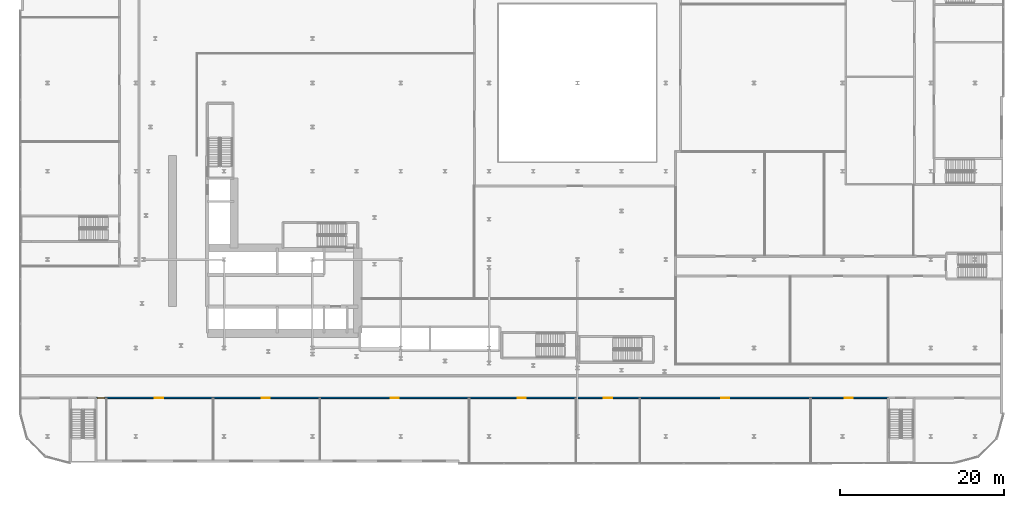
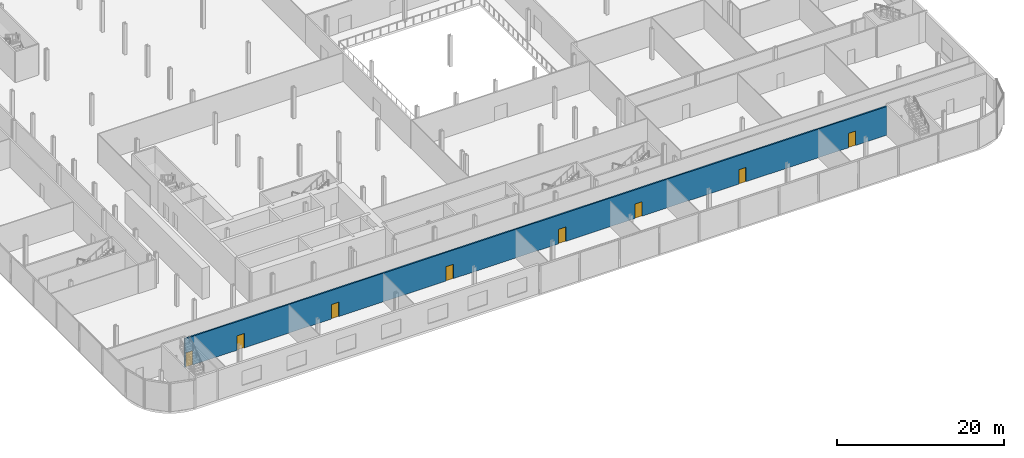
# One storey, part 27 of 47: 8 doors, 1 wall, 8 openings.
"""IFC4 building model written with IfcOpenShell, lengths in metres."""

from ifc_helpers import new_model, si_unit, direction, frame, frame_2d, origin, place, context, subcontext, project, spatial, rectangle, extrude, source, transform, mapped, material, layer, layer_set, type_object, element, fill, save


model = new_model("IFC4")

# Units and contexts
model_context = context("Model", 3, precision=1e-05, world=origin(), true_north=direction((0.0, 1.0)))
body_context = subcontext(model_context, "Body", "Model", "MODEL_VIEW")
ifc_project = project(units=[si_unit("LENGTHUNIT", "METRE"), si_unit("AREAUNIT", "SQUARE_METRE"), si_unit("VOLUMEUNIT", "CUBIC_METRE"), si_unit("PLANEANGLEUNIT", "RADIAN"), si_unit("MASSUNIT", "GRAM", prefix="KILO")], contexts=[model_context])

# Site, building, storey
site_placement = place(None, origin())
site = spatial("IfcSite", under=ifc_project, at=site_placement, CompositionType="ELEMENT")
building_placement = place(site_placement, origin())
building = spatial("IfcBuilding", under=site, at=building_placement, Name="Kheshtan School and Residences Tower", CompositionType="ELEMENT")
storey_placement = place(building_placement, frame((0.0, 0.0, 12.5)))
storey = spatial("IfcBuildingStorey", under=building, at=storey_placement, Name="L02", CompositionType="ELEMENT", Elevation=12.5)

# Wall, openings, doors
ifc_material_1 = material(Name="Gypsum board on steel studs with fire boards", Category="steel")
ifc_layer = layer(ifc_material_1, 0.199951171875)
ifc_layer_set = layer_set([ifc_layer], Name="Corridor wall 200")
wall_type = type_object("IfcWallType", Name="Corridor wall 200", PredefinedType="PARTITIONING", material=ifc_layer_set)
wall_placement = place(storey_placement, frame((21.14990234375, 17.89990234375, 0.0), z_axis=(0.0, 0.0, 1.0), x_axis=(1.0, 0.0, 0.0)))
wall = element("IfcWall", 1, at=wall_placement, inside=storey, type_object=wall_type, Name="Partition L02-008", PredefinedType="PARTITIONING", context=body_context, shape_type="SweptSolid", body=[
    extrude(rectangle(XDim=96.85009765625, YDim=0.199951171875, at=frame_2d((48.425048828125, 0.0))), origin(), (0.0, 0.0, 1.0), 4.179931640625),
])
opening_1_placement = place(wall_placement, frame((0.14990234375, 0.0, 0.0)))
opening_1 = element("IfcOpeningElement", 2, at=opening_1_placement, cuts=wall, Name="Opening D02-035", PredefinedType="OPENING", context=body_context, shape_type="SweptSolid", body=[
    extrude(rectangle(XDim=0.89990234375, YDim=2.10009765625, at=frame_2d((0.449951171875, 1.050048828125))), frame((0.0, 0.10986328125, 0.0), z_axis=(0.0, -1.0, 0.0), x_axis=(1.0, 0.0, 0.0)), (0.0, 0.0, 1.0), 0.219970703125),
])
opening_2_placement = place(wall_placement, frame((7.18505859375, 0.0, 0.0)))
opening_2 = element("IfcOpeningElement", 3, at=opening_2_placement, cuts=wall, Name="Opening D02-036", PredefinedType="OPENING", context=body_context, shape_type="SweptSolid", body=[
    extrude(rectangle(XDim=1.0, YDim=2.10009765625, at=frame_2d((0.5, 1.050048828125))), frame((0.0, 0.10986328125, 0.0), z_axis=(0.0, -1.0, 0.0), x_axis=(1.0, 0.0, 0.0)), (0.0, 0.0, 1.0), 0.219970703125),
])
opening_3_placement = place(wall_placement, frame((20.22802734375, 0.0, 0.0)))
opening_3 = element("IfcOpeningElement", 4, at=opening_3_placement, cuts=wall, Name="Opening D02-037", PredefinedType="OPENING", context=body_context, shape_type="SweptSolid", body=[
    extrude(rectangle(XDim=1.0, YDim=2.10009765625, at=frame_2d((0.5, 1.050048828125))), frame((0.0, 0.10986328125, 0.0), z_axis=(0.0, -1.0, 0.0), x_axis=(1.0, 0.0, 0.0)), (0.0, 0.0, 1.0), 0.219970703125),
])
opening_4_placement = place(wall_placement, frame((36.02197265625, 0.0, 0.0)))
opening_4 = element("IfcOpeningElement", 5, at=opening_4_placement, cuts=wall, Name="Opening D02-038", PredefinedType="OPENING", context=body_context, shape_type="SweptSolid", body=[
    extrude(rectangle(XDim=1.0, YDim=2.10009765625, at=frame_2d((0.5, 1.050048828125))), frame((0.0, 0.10986328125, 0.0), z_axis=(0.0, -1.0, 0.0), x_axis=(1.0, 0.0, 0.0)), (0.0, 0.0, 1.0), 0.219970703125),
])
opening_5_placement = place(wall_placement, frame((51.532958984375, 0.0, 0.0)))
opening_5 = element("IfcOpeningElement", 6, at=opening_5_placement, cuts=wall, Name="Opening D02-039", PredefinedType="OPENING", context=body_context, shape_type="SweptSolid", body=[
    extrude(rectangle(XDim=1.0, YDim=2.10009765625, at=frame_2d((0.5, 1.050048828125))), frame((0.0, 0.10986328125, 0.0), z_axis=(0.0, -1.0, 0.0), x_axis=(1.0, 0.0, 0.0)), (0.0, 0.0, 1.0), 0.219970703125),
])
opening_6_placement = place(wall_placement, frame((62.075927734375, 0.0, 0.0)))
opening_6 = element("IfcOpeningElement", 7, at=opening_6_placement, cuts=wall, Name="Opening D02-040", PredefinedType="OPENING", context=body_context, shape_type="SweptSolid", body=[
    extrude(rectangle(XDim=1.0, YDim=2.10009765625, at=frame_2d((0.5, 1.050048828125))), frame((0.0, 0.10986328125, 0.0), z_axis=(0.0, -1.0, 0.0), x_axis=(1.0, 0.0, 0.0)), (0.0, 0.0, 1.0), 0.219970703125),
])
opening_7_placement = place(wall_placement, frame((76.402099609375, 0.0, 0.0)))
opening_7 = element("IfcOpeningElement", 8, at=opening_7_placement, cuts=wall, Name="Opening D02-041", PredefinedType="OPENING", context=body_context, shape_type="SweptSolid", body=[
    extrude(rectangle(XDim=1.0, YDim=2.10009765625, at=frame_2d((0.5, 1.050048828125))), frame((0.0, 0.10986328125, 0.0), z_axis=(0.0, -1.0, 0.0), x_axis=(1.0, 0.0, 0.0)), (0.0, 0.0, 1.0), 0.219970703125),
])
opening_8_placement = place(wall_placement, frame((91.52197265625, 0.0, 0.0)))
opening_8 = element("IfcOpeningElement", 9, at=opening_8_placement, cuts=wall, Name="Opening D02-042", PredefinedType="OPENING", context=body_context, shape_type="SweptSolid", body=[
    extrude(rectangle(XDim=1.0, YDim=2.10009765625, at=frame_2d((0.5, 1.050048828125))), frame((0.0, 0.10986328125, 0.0), z_axis=(0.0, -1.0, 0.0), x_axis=(1.0, 0.0, 0.0)), (0.0, 0.0, 1.0), 0.219970703125),
])
ifc_material_2 = material(Name="Steel-framed fire-resisting door leaf", Category="steel")
door_type_1 = type_object("IfcDoorType", Name="Fire door FD60 1000 x 2100", OperationType="SINGLE_SWING_LEFT", PredefinedType="DOOR", material=ifc_material_2)
shared_shape_1 = source(origin(), body_context, "Body", "SweptSolid", [
    extrude(rectangle(XDim=1.0, YDim=2.10009765625, at=frame_2d((0.5, 1.050048828125))), frame((0.0, 0.02490234375, 0.0), z_axis=(0.0, -1.0, 0.0), x_axis=(1.0, 0.0, 0.0)), (0.0, 0.0, 1.0), 0.050048828125),
])
door_1_placement = place(opening_2_placement, origin())
door_1 = element("IfcDoor", 10, at=door_1_placement, inside=storey, type_object=door_type_1, Name="Door D02-036", OperationType="SINGLE_SWING_LEFT", OverallHeight=2.10009765625, OverallWidth=1.0, PredefinedType="DOOR", context=body_context, shape_type="MappedRepresentation", body=[
    mapped(shared_shape_1, transform((0.0, 0.0, 0.0), x_axis=(1.0, 0.0, 0.0), y_axis=(0.0, 1.0, 0.0), z_axis=(0.0, 0.0, 1.0), scale=1.0)),
])
fill(opening_2, door_1)
door_2_placement = place(opening_3_placement, origin())
door_2 = element("IfcDoor", 11, at=door_2_placement, inside=storey, type_object=door_type_1, Name="Door D02-037", OperationType="SINGLE_SWING_LEFT", OverallHeight=2.10009765625, OverallWidth=1.0, PredefinedType="DOOR", context=body_context, shape_type="MappedRepresentation", body=[
    mapped(shared_shape_1, transform((0.0, 0.0, 0.0), x_axis=(1.0, 0.0, 0.0), y_axis=(0.0, 1.0, 0.0), z_axis=(0.0, 0.0, 1.0), scale=1.0)),
])
fill(opening_3, door_2)
door_3_placement = place(opening_4_placement, origin())
door_3 = element("IfcDoor", 12, at=door_3_placement, inside=storey, type_object=door_type_1, Name="Door D02-038", OperationType="SINGLE_SWING_LEFT", OverallHeight=2.10009765625, OverallWidth=1.0, PredefinedType="DOOR", context=body_context, shape_type="MappedRepresentation", body=[
    mapped(shared_shape_1, transform((0.0, 0.0, 0.0), x_axis=(1.0, 0.0, 0.0), y_axis=(0.0, 1.0, 0.0), z_axis=(0.0, 0.0, 1.0), scale=1.0)),
])
fill(opening_4, door_3)
door_4_placement = place(opening_5_placement, origin())
door_4 = element("IfcDoor", 13, at=door_4_placement, inside=storey, type_object=door_type_1, Name="Door D02-039", OperationType="SINGLE_SWING_RIGHT", OverallHeight=2.10009765625, OverallWidth=1.0, PredefinedType="DOOR", context=body_context, shape_type="MappedRepresentation", body=[
    mapped(shared_shape_1, transform((0.0, 0.0, 0.0), x_axis=(1.0, 0.0, 0.0), y_axis=(0.0, 1.0, 0.0), z_axis=(0.0, 0.0, 1.0), scale=1.0)),
])
fill(opening_5, door_4)
door_5_placement = place(opening_6_placement, origin())
door_5 = element("IfcDoor", 14, at=door_5_placement, inside=storey, type_object=door_type_1, Name="Door D02-040", OperationType="SINGLE_SWING_RIGHT", OverallHeight=2.10009765625, OverallWidth=1.0, PredefinedType="DOOR", context=body_context, shape_type="MappedRepresentation", body=[
    mapped(shared_shape_1, transform((0.0, 0.0, 0.0), x_axis=(1.0, 0.0, 0.0), y_axis=(0.0, 1.0, 0.0), z_axis=(0.0, 0.0, 1.0), scale=1.0)),
])
fill(opening_6, door_5)
door_6_placement = place(opening_7_placement, origin())
door_6 = element("IfcDoor", 15, at=door_6_placement, inside=storey, type_object=door_type_1, Name="Door D02-041", OperationType="SINGLE_SWING_LEFT", OverallHeight=2.10009765625, OverallWidth=1.0, PredefinedType="DOOR", context=body_context, shape_type="MappedRepresentation", body=[
    mapped(shared_shape_1, transform((0.0, 0.0, 0.0), x_axis=(1.0, 0.0, 0.0), y_axis=(0.0, 1.0, 0.0), z_axis=(0.0, 0.0, 1.0), scale=1.0)),
])
fill(opening_7, door_6)
door_7_placement = place(opening_8_placement, origin())
door_7 = element("IfcDoor", 16, at=door_7_placement, inside=storey, type_object=door_type_1, Name="Door D02-042", OperationType="SINGLE_SWING_RIGHT", OverallHeight=2.10009765625, OverallWidth=1.0, PredefinedType="DOOR", context=body_context, shape_type="MappedRepresentation", body=[
    mapped(shared_shape_1, transform((0.0, 0.0, 0.0), x_axis=(1.0, 0.0, 0.0), y_axis=(0.0, 1.0, 0.0), z_axis=(0.0, 0.0, 1.0), scale=1.0)),
])
fill(opening_8, door_7)
door_type_2 = type_object("IfcDoorType", Name="Fire door FD60 900 x 2100", OperationType="SINGLE_SWING_LEFT", PredefinedType="DOOR", material=ifc_material_2)
shared_shape_2 = source(origin(), body_context, "Body", "SweptSolid", [
    extrude(rectangle(XDim=0.89990234375, YDim=2.10009765625, at=frame_2d((0.449951171875, 1.050048828125))), frame((0.0, 0.02490234375, 0.0), z_axis=(0.0, -1.0, 0.0), x_axis=(1.0, 0.0, 0.0)), (0.0, 0.0, 1.0), 0.050048828125),
])
door_8_placement = place(opening_1_placement, origin())
door_8 = element("IfcDoor", 17, at=door_8_placement, inside=storey, type_object=door_type_2, Name="Door D02-035", OperationType="SINGLE_SWING_RIGHT", OverallHeight=2.10009765625, OverallWidth=0.89990234375, PredefinedType="DOOR", context=body_context, shape_type="MappedRepresentation", body=[
    mapped(shared_shape_2, transform((0.0, 0.0, 0.0), x_axis=(1.0, 0.0, 0.0), y_axis=(0.0, 1.0, 0.0), z_axis=(0.0, 0.0, 1.0), scale=1.0)),
])
fill(opening_1, door_8)

save(model, "model.ifc")
